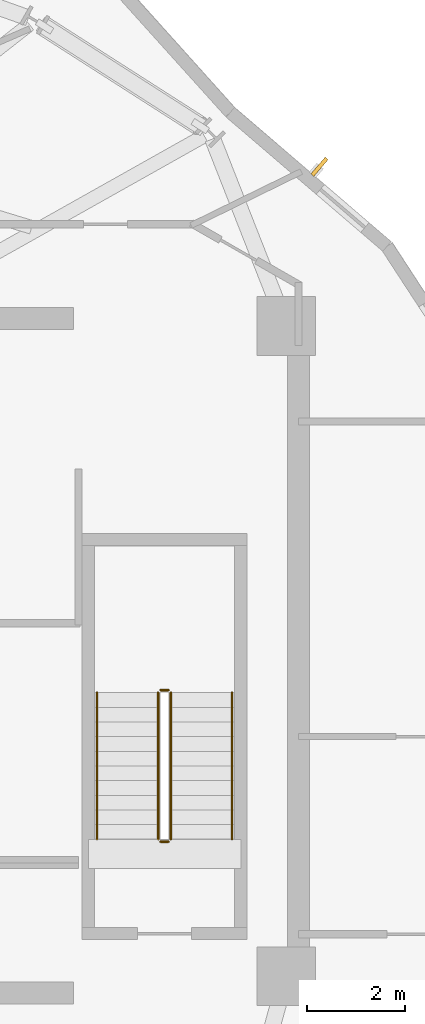
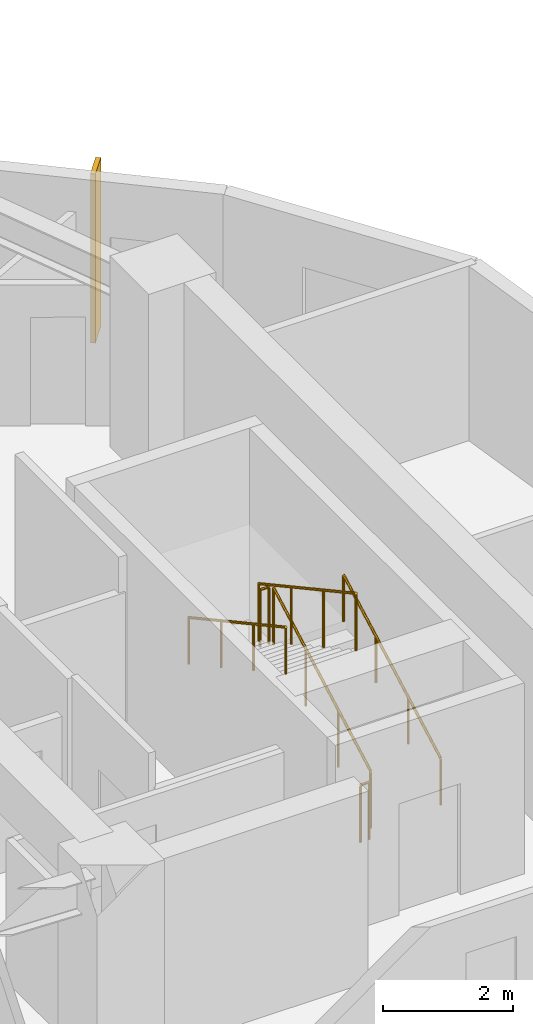
# One storey, part 24 of 25: 6 railings, 1 shading device.
"""IFC4 building model written with IfcOpenShell, lengths in metres."""

from ifc_helpers import new_model, si_unit, direction, frame, origin, origin_2d, place, context, subcontext, project, spatial, rectangle, circle, extrude, material, layer, layer_set, type_object, element, save


model = new_model("IFC4")

# Units and contexts
model_context = context("Model", 3, precision=1e-05, world=origin(), true_north=direction((0.0, 1.0)))
body_context = subcontext(model_context, "Body", "Model", "MODEL_VIEW")
ifc_project = project(units=[si_unit("LENGTHUNIT", "METRE"), si_unit("AREAUNIT", "SQUARE_METRE"), si_unit("VOLUMEUNIT", "CUBIC_METRE"), si_unit("PLANEANGLEUNIT", "RADIAN"), si_unit("MASSUNIT", "GRAM", prefix="KILO")], contexts=[model_context])

# Site, building, storey
site_placement = place(None, origin())
site = spatial("IfcSite", under=ifc_project, at=site_placement, CompositionType="ELEMENT")
building_placement = place(site_placement, origin())
building = spatial("IfcBuilding", under=site, at=building_placement, Name="Solvane Sanctuary Tower", CompositionType="ELEMENT")
storey_placement = place(building_placement, frame((0.0, 0.0, 238.800048828125)))
storey = spatial("IfcBuildingStorey", under=building, at=storey_placement, Name="L73", CompositionType="ELEMENT", Elevation=238.800048828125)

# Railings
ifc_material_1 = material(Name="Architectural Stainless Steel 316", Category="steel")
railing_type_1 = type_object("IfcRailingType", Name="Railing GR-BALC-1150", PredefinedType="BALUSTRADE", material=ifc_material_1)
railing_1_placement = place(storey_placement, frame((46.340087890625, 19.699951171875, 0.16357421875)))
element("IfcRailing", 1, at=railing_1_placement, inside=storey, type_object=railing_type_1, Name="L73 ST-2 stair guard 1", PredefinedType="BALUSTRADE", context=body_context, shape_type="SweptSolid", body=[
    extrude(circle(Radius=0.02392578125, at=origin_2d()), frame((0.0, 0.0, 1.076171875), z_axis=(0.0, 0.877881921179, 0.478877158013), x_axis=(-1.0, 0.0, 0.0)), (0.0, 0.0, 1.0), 3.417236328125),
    extrude(circle(Radius=0.02099609375, at=origin_2d()), origin(), (0.0, 0.0, 1.0), 1.052001953125),
    extrude(circle(Radius=0.02099609375, at=origin_2d()), frame((0.0, 1.0, 0.54541015625)), (0.0, 0.0, 1.0), 1.052001953125),
    extrude(circle(Radius=0.02099609375, at=origin_2d()), frame((0.0, 2.0, 1.091064453125)), (0.0, 0.0, 1.0), 1.052001953125),
    extrude(circle(Radius=0.02099609375, at=origin_2d()), frame((0.0, 3.0, 1.636474609375)), (0.0, 0.0, 1.0), 1.052001953125),
])
railing_2_placement = place(storey_placement, frame((46.2900390625, 22.75, 1.800048828125)))
element("IfcRailing", 2, at=railing_2_placement, inside=storey, type_object=railing_type_1, Name="L73 ST-2 stair guard 2", PredefinedType="BALUSTRADE", context=body_context, shape_type="SweptSolid", body=[
    extrude(circle(Radius=0.02392578125, at=origin_2d()), frame((0.0, 0.0, 1.076171875), z_axis=(-1.0, 0.0, 0.0), x_axis=(0.0, -1.0, 0.0)), (0.0, 0.0, 1.0), 0.16015625),
    extrude(circle(Radius=0.02099609375, at=origin_2d()), origin(), (0.0, 0.0, 1.0), 1.052001953125),
    extrude(circle(Radius=0.02099609375, at=origin_2d()), frame((-0.16015625, 0.0, 0.0)), (0.0, 0.0, 1.0), 1.052001953125),
])
railing_3_placement = place(storey_placement, frame((46.080078125, 22.699951171875, 1.963623046875)))
element("IfcRailing", 3, at=railing_3_placement, inside=storey, type_object=railing_type_1, Name="L73 ST-2 stair guard 3", PredefinedType="BALUSTRADE", context=body_context, shape_type="SweptSolid", body=[
    extrude(circle(Radius=0.02392578125, at=origin_2d()), frame((0.0, 0.0, 1.076171875), z_axis=(0.0, -0.877911954615, 0.47882209634), x_axis=(1.0, 0.0, 0.0)), (0.0, 0.0, 1.0), 3.417236328125),
    extrude(circle(Radius=0.02099609375, at=origin_2d()), origin(), (0.0, 0.0, 1.0), 1.052001953125),
    extrude(circle(Radius=0.02099609375, at=origin_2d()), frame((0.0, -1.0, 0.54541015625)), (0.0, 0.0, 1.0), 1.052001953125),
    extrude(circle(Radius=0.02099609375, at=origin_2d()), frame((0.0, -2.0, 1.0908203125)), (0.0, 0.0, 1.0), 1.052001953125),
    extrude(circle(Radius=0.02099609375, at=origin_2d()), frame((0.0, -3.0, 1.63623046875)), (0.0, 0.0, 1.0), 1.052001953125),
])
railing_4_placement = place(storey_placement, frame((46.2900390625, 19.64990234375, 0.0)))
element("IfcRailing", 4, at=railing_4_placement, inside=storey, type_object=railing_type_1, Name="L73 ST-2 stair guard 4", PredefinedType="BALUSTRADE", context=body_context, shape_type="SweptSolid", body=[
    extrude(circle(Radius=0.02392578125, at=origin_2d()), frame((0.0, 0.0, 1.076171875), z_axis=(-1.0, 0.0, 0.0), x_axis=(0.0, -1.0, 0.0)), (0.0, 0.0, 1.0), 0.16015625),
    extrude(circle(Radius=0.02099609375, at=origin_2d()), origin(), (0.0, 0.0, 1.0), 1.052001953125),
    extrude(circle(Radius=0.02099609375, at=origin_2d()), frame((-0.16015625, 0.0, 0.0)), (0.0, 0.0, 1.0), 1.052001953125),
])
railing_type_2 = type_object("IfcRailingType", Name="Railing HR-STAIR-920", PredefinedType="HANDRAIL", material=ifc_material_1)
railing_5_placement = place(storey_placement, frame((47.590087890625, 19.699951171875, 0.16357421875)))
element("IfcRailing", 5, at=railing_5_placement, inside=storey, type_object=railing_type_2, Name="L73 ST-2 stair handrail 1", PredefinedType="HANDRAIL", context=body_context, shape_type="SweptSolid", body=[
    extrude(circle(Radius=0.02392578125, at=origin_2d()), frame((0.0, 0.0, 0.8759765625), z_axis=(0.0, 0.877881921179, 0.478877158013), x_axis=(-1.0, 0.0, 0.0)), (0.0, 0.0, 1.0), 3.417236328125),
    extrude(circle(Radius=0.02099609375, at=origin_2d()), origin(), (0.0, 0.0, 1.0), 0.851806640625),
    extrude(circle(Radius=0.02099609375, at=origin_2d()), frame((0.0, 1.0, 0.54541015625)), (0.0, 0.0, 1.0), 0.851806640625),
    extrude(circle(Radius=0.02099609375, at=origin_2d()), frame((0.0, 2.0, 1.091064453125)), (0.0, 0.0, 1.0), 0.851806640625),
    extrude(circle(Radius=0.02099609375, at=origin_2d()), frame((0.0, 3.0, 1.636474609375)), (0.0, 0.0, 1.0), 0.851806640625),
])
railing_6_placement = place(storey_placement, frame((44.830078125, 22.699951171875, 1.963623046875)))
element("IfcRailing", 6, at=railing_6_placement, inside=storey, type_object=railing_type_2, Name="L73 ST-2 stair handrail 2", PredefinedType="HANDRAIL", context=body_context, shape_type="SweptSolid", body=[
    extrude(circle(Radius=0.02392578125, at=origin_2d()), frame((0.0, 0.0, 0.8759765625), z_axis=(0.0, -0.877911954615, 0.47882209634), x_axis=(1.0, 0.0, 0.0)), (0.0, 0.0, 1.0), 3.417236328125),
    extrude(circle(Radius=0.02099609375, at=origin_2d()), origin(), (0.0, 0.0, 1.0), 0.851806640625),
    extrude(circle(Radius=0.02099609375, at=origin_2d()), frame((0.0, -1.0, 0.54541015625)), (0.0, 0.0, 1.0), 0.851806640625),
    extrude(circle(Radius=0.02099609375, at=origin_2d()), frame((0.0, -2.0, 1.0908203125)), (0.0, 0.0, 1.0), 0.851806640625),
    extrude(circle(Radius=0.02099609375, at=origin_2d()), frame((0.0, -3.0, 1.63623046875)), (0.0, 0.0, 1.0), 0.851806640625),
])

# Shading device
ifc_material_2 = material(Name="Anodised Aluminium 6063-T6", Category="aluminium")
ifc_layer = layer(ifc_material_2, 0.080078125, Name="Anodised Aluminium 6063-T6")
ifc_layer_set = layer_set([ifc_layer], Name="Anodised Aluminium 6063-T6")
shading_device_type = type_object("IfcShadingDeviceType", Name="Shading SHD-FIN", PredefinedType="USERDEFINED", material=ifc_layer_set)
shading_device_placement = place(storey_placement, frame((49.38037109375, 33.458984375, 0.050048828125), z_axis=(0.0, 0.0, 1.0), x_axis=(-0.759573352363, 0.650421649686, 0.0)))
element("IfcShadingDevice", 7, at=shading_device_placement, inside=storey, type_object=shading_device_type, Name="L73 Aerodynamic Vertical Fin 02", ObjectType="FIN", PredefinedType="USERDEFINED", context=body_context, shape_type="SweptSolid", body=[
    extrude(rectangle(XDim=0.080078125, YDim=0.449951171875, at=origin_2d()), origin(), (0.0, 0.0, 1.0), 3.18994140625),
])

save(model, "model.ifc")
